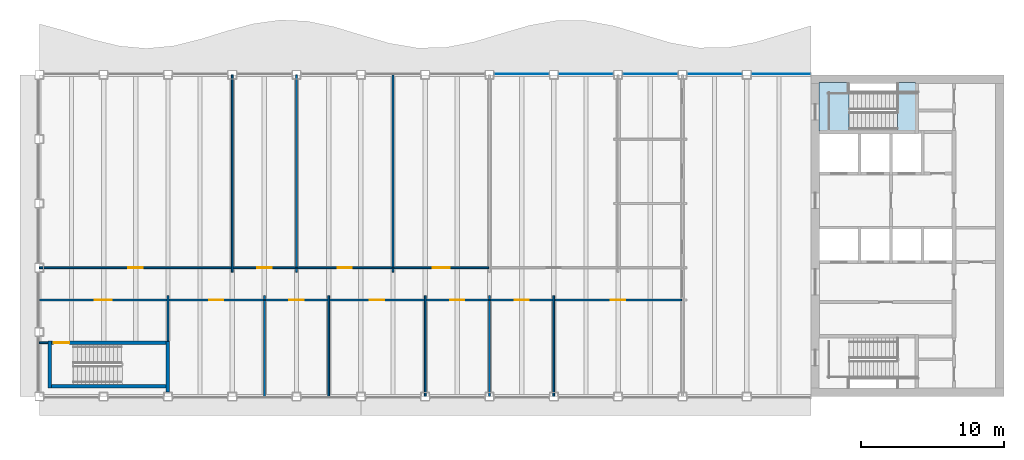
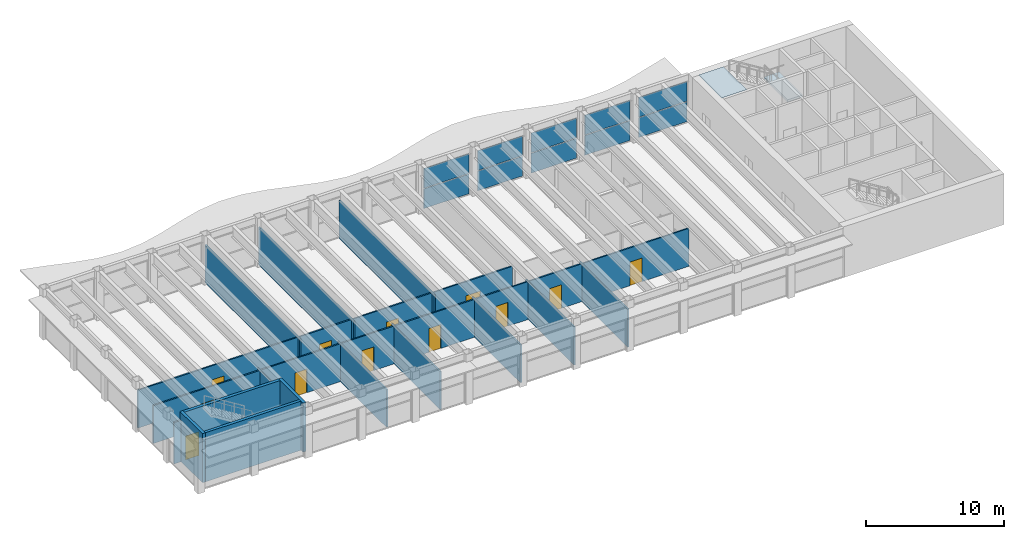
# One storey, part 8 of 14: 25 walls, 12 doors, 10 plates, 2 slabs, 12 openings, 6 elements without a shape of their own.
"""IFC4 building model written with IfcOpenShell, lengths in metres."""

from ifc_helpers import new_model, si_unit, direction, frame, frame_2d, origin, origin_2d, place, context, subcontext, project, spatial, polyline, rectangle, outline, extrude, material, layer, layer_set, type_object, element, fill, aggregate, save


model = new_model("IFC4")

# Units and contexts
model_context = context("Model", 3, precision=1e-05, world=origin(), true_north=direction((0.0, 1.0)))
body_context = subcontext(model_context, "Body", "Model", "MODEL_VIEW")
ifc_project = project(units=[si_unit("LENGTHUNIT", "METRE"), si_unit("AREAUNIT", "SQUARE_METRE"), si_unit("VOLUMEUNIT", "CUBIC_METRE"), si_unit("PLANEANGLEUNIT", "RADIAN"), si_unit("MASSUNIT", "GRAM", prefix="KILO")], contexts=[model_context])

# Site, building, storey
site_placement = place(None, origin())
site = spatial("IfcSite", under=ifc_project, at=site_placement, CompositionType="ELEMENT")
building_placement = place(site_placement, origin())
building = spatial("IfcBuilding", under=site, at=building_placement, Name="Sennacour Bend Tower", CompositionType="ELEMENT")
storey_placement = place(building_placement, frame((0.0, 0.0, 336.5)))
storey = spatial("IfcBuildingStorey", under=building, at=storey_placement, Name="L77", CompositionType="ELEMENT", Elevation=336.5)

# Curtain wall, plates
ifc_material_1 = material(Name="Bronze anodised aluminium curtain wall with clear glass", Category="aluminium")
curtain_wall_type = type_object("IfcCurtainWallType", Name="CURTAIN WALL EXEC", PredefinedType="NOTDEFINED", material=ifc_material_1)
curtain_wall_1_placement = place(storey_placement, origin())
curtain_wall_1 = element("IfcCurtainWall", 1, at=curtain_wall_1_placement, inside=storey, type_object=curtain_wall_type, Name="Executive floor glass wall L77", PredefinedType="NOTDEFINED")
ifc_material_2 = material(Name="Clear low-emissivity glass", Category="glass")
ifc_layer_1 = layer(ifc_material_2, 0.031982421875, Name="Clear low-emissivity glass", Category="glass")
ifc_layer_set_1 = layer_set([ifc_layer_1], Name="Clear low-emissivity glass")
plate_type = type_object("IfcPlateType", Name="PNL-GLASS-IGU32", PredefinedType="CURTAIN_PANEL", material=ifc_layer_set_1)
plate_1_placement = place(storey_placement, frame((51.89990234375, 22.574951171875, 0.06005859375), z_axis=(0.0, 0.0, 1.0), x_axis=(-1.0, 0.0, 0.0)))
plate_1 = element("IfcPlate", 2, at=plate_1_placement, type_object=plate_type, Name="GW3 curtain wall panel 1.1", PredefinedType="CURTAIN_PANEL", context=body_context, shape_type="SweptSolid", body=[
    extrude(rectangle(XDim=4.080078125, YDim=0.031982421875, at=origin_2d()), origin(), (0.0, 0.0, 1.0), 1.74609375),
])
plate_2_placement = place(storey_placement, frame((51.89990234375, 22.574951171875, 1.865966796875), z_axis=(0.0, 0.0, 1.0), x_axis=(-1.0, 0.0, 0.0)))
plate_2 = element("IfcPlate", 3, at=plate_2_placement, type_object=plate_type, Name="GW3 curtain wall panel 1.2", PredefinedType="CURTAIN_PANEL", context=body_context, shape_type="SweptSolid", body=[
    extrude(rectangle(XDim=4.080078125, YDim=0.031982421875, at=origin_2d()), origin(), (0.0, 0.0, 1.0), 1.74609375),
])
aggregate(curtain_wall_1, [plate_1, plate_2])

curtain_wall_2_placement = place(storey_placement, origin())
curtain_wall_2 = element("IfcCurtainWall", 4, at=curtain_wall_2_placement, inside=storey, type_object=curtain_wall_type, Name="Executive floor glass wall L77", PredefinedType="NOTDEFINED")
plate_3_placement = place(storey_placement, frame((47.25, 22.574951171875, 0.06005859375), z_axis=(0.0, 0.0, 1.0), x_axis=(-1.0, 0.0, 0.0)))
plate_3 = element("IfcPlate", 5, at=plate_3_placement, type_object=plate_type, Name="GW3 curtain wall panel 1.1", PredefinedType="CURTAIN_PANEL", context=body_context, shape_type="SweptSolid", body=[
    extrude(rectangle(XDim=3.780029296875, YDim=0.031982421875, at=origin_2d()), origin(), (0.0, 0.0, 1.0), 1.74609375),
])
plate_4_placement = place(storey_placement, frame((47.25, 22.574951171875, 1.865966796875), z_axis=(0.0, 0.0, 1.0), x_axis=(-1.0, 0.0, 0.0)))
plate_4 = element("IfcPlate", 6, at=plate_4_placement, type_object=plate_type, Name="GW3 curtain wall panel 1.2", PredefinedType="CURTAIN_PANEL", context=body_context, shape_type="SweptSolid", body=[
    extrude(rectangle(XDim=3.780029296875, YDim=0.031982421875, at=origin_2d()), origin(), (0.0, 0.0, 1.0), 1.74609375),
])
aggregate(curtain_wall_2, [plate_3, plate_4])

curtain_wall_3_placement = place(storey_placement, origin())
curtain_wall_3 = element("IfcCurtainWall", 7, at=curtain_wall_3_placement, inside=storey, type_object=curtain_wall_type, Name="Executive floor glass wall L77", PredefinedType="NOTDEFINED")
plate_5_placement = place(storey_placement, frame((42.75, 22.574951171875, 0.06005859375), z_axis=(0.0, 0.0, 1.0), x_axis=(-1.0, 0.0, 0.0)))
plate_5 = element("IfcPlate", 8, at=plate_5_placement, type_object=plate_type, Name="GW3 curtain wall panel 1.1", PredefinedType="CURTAIN_PANEL", context=body_context, shape_type="SweptSolid", body=[
    extrude(rectangle(XDim=3.780029296875, YDim=0.031982421875, at=origin_2d()), origin(), (0.0, 0.0, 1.0), 1.74609375),
])
plate_6_placement = place(storey_placement, frame((42.75, 22.574951171875, 1.865966796875), z_axis=(0.0, 0.0, 1.0), x_axis=(-1.0, 0.0, 0.0)))
plate_6 = element("IfcPlate", 9, at=plate_6_placement, type_object=plate_type, Name="GW3 curtain wall panel 1.2", PredefinedType="CURTAIN_PANEL", context=body_context, shape_type="SweptSolid", body=[
    extrude(rectangle(XDim=3.780029296875, YDim=0.031982421875, at=origin_2d()), origin(), (0.0, 0.0, 1.0), 1.74609375),
])
aggregate(curtain_wall_3, [plate_5, plate_6])

curtain_wall_4_placement = place(storey_placement, origin())
curtain_wall_4 = element("IfcCurtainWall", 10, at=curtain_wall_4_placement, inside=storey, type_object=curtain_wall_type, Name="Executive floor glass wall L77", PredefinedType="NOTDEFINED")
plate_7_placement = place(storey_placement, frame((38.25, 22.574951171875, 0.06005859375), z_axis=(0.0, 0.0, 1.0), x_axis=(-1.0, 0.0, 0.0)))
plate_7 = element("IfcPlate", 11, at=plate_7_placement, type_object=plate_type, Name="GW3 curtain wall panel 1.1", PredefinedType="CURTAIN_PANEL", context=body_context, shape_type="SweptSolid", body=[
    extrude(rectangle(XDim=3.780029296875, YDim=0.031982421875, at=origin_2d()), origin(), (0.0, 0.0, 1.0), 1.74609375),
])
plate_8_placement = place(storey_placement, frame((38.25, 22.574951171875, 1.865966796875), z_axis=(0.0, 0.0, 1.0), x_axis=(-1.0, 0.0, 0.0)))
plate_8 = element("IfcPlate", 12, at=plate_8_placement, type_object=plate_type, Name="GW3 curtain wall panel 1.2", PredefinedType="CURTAIN_PANEL", context=body_context, shape_type="SweptSolid", body=[
    extrude(rectangle(XDim=3.780029296875, YDim=0.031982421875, at=origin_2d()), origin(), (0.0, 0.0, 1.0), 1.74609375),
])
aggregate(curtain_wall_4, [plate_7, plate_8])

curtain_wall_5_placement = place(storey_placement, origin())
curtain_wall_5 = element("IfcCurtainWall", 13, at=curtain_wall_5_placement, inside=storey, type_object=curtain_wall_type, Name="Executive floor glass wall L77", PredefinedType="NOTDEFINED")
plate_9_placement = place(storey_placement, frame((33.75, 22.574951171875, 0.06005859375), z_axis=(0.0, 0.0, 1.0), x_axis=(-1.0, 0.0, 0.0)))
plate_9 = element("IfcPlate", 14, at=plate_9_placement, type_object=plate_type, Name="GW3 curtain wall panel 1.1", PredefinedType="CURTAIN_PANEL", context=body_context, shape_type="SweptSolid", body=[
    extrude(rectangle(XDim=3.780029296875, YDim=0.031982421875, at=origin_2d()), origin(), (0.0, 0.0, 1.0), 1.74609375),
])
plate_10_placement = place(storey_placement, frame((33.75, 22.574951171875, 1.865966796875), z_axis=(0.0, 0.0, 1.0), x_axis=(-1.0, 0.0, 0.0)))
plate_10 = element("IfcPlate", 15, at=plate_10_placement, type_object=plate_type, Name="GW3 curtain wall panel 1.2", PredefinedType="CURTAIN_PANEL", context=body_context, shape_type="SweptSolid", body=[
    extrude(rectangle(XDim=3.780029296875, YDim=0.031982421875, at=origin_2d()), origin(), (0.0, 0.0, 1.0), 1.74609375),
])
aggregate(curtain_wall_5, [plate_9, plate_10])

# Slab
ifc_material_3 = material(Name="Concrete C40/50", Category="concrete")
ifc_layer_2 = layer(ifc_material_3, 0.034912109375, Name="Concrete C40/50", Category="concrete")
ifc_layer_set_2 = layer_set([ifc_layer_2], Name="Concrete C40/50")
slab_type_1 = type_object("IfcSlabType", Name="Stair arrival nib 35", PredefinedType="FLOOR", material=ifc_layer_set_2)
slab_1_placement = place(storey_placement, frame((0.0, 0.0, 4.315185546875)))
element("IfcSlab", 16, at=slab_1_placement, inside=storey, type_object=slab_type_1, Name="L77 SA2 stair arrival nib", PredefinedType="FLOOR", context=body_context, shape_type="SweptSolid", body=[
    extrude(outline(polyline([(56.64208984375, 21.949951171875), (54.550048828125, 21.949951171875), (54.550048828125, 18.574951171875), (56.64208984375, 18.574951171875), (56.64208984375, 21.949951171875)])), origin(), (0.0, 0.0, 1.0), 0.034912109375),
])

# Stair, slab
stair_type = type_object("IfcStairType", Name="ST-DOGLEG", PredefinedType="HALF_TURN_STAIR", material=ifc_material_3)
stair_placement = place(storey_placement, origin())
stair = element("IfcStair", 17, at=stair_placement, inside=storey, type_object=stair_type, Name="L77 Exit stair A2", PredefinedType="HALF_TURN_STAIR")
ifc_layer_3 = layer(ifc_material_3, 0.199951171875, Name="Concrete C40/50", Category="concrete")
ifc_layer_set_3 = layer_set([ifc_layer_3], Name="Concrete C40/50")
slab_type_2 = type_object("IfcSlabType", Name="Stair landing 200", PredefinedType="LANDING", material=ifc_layer_set_3)
slab_2_placement = place(storey_placement, frame((0.0, 0.0, 2.050048828125)))
slab_2 = element("IfcSlab", 18, at=slab_2_placement, type_object=slab_type_2, Name="SA2 landing 1", PredefinedType="LANDING", context=body_context, shape_type="SweptSolid", body=[
    extrude(outline(polyline([(60.06005859375, 18.574951171875), (61.324951171875, 18.574951171875), (61.324951171875, 21.949951171875), (60.06005859375, 21.949951171875), (60.06005859375, 18.574951171875)])), origin(), (0.0, 0.0, 1.0), 0.199951171875),
])
aggregate(stair, [slab_2])

# Walls
ifc_material_4 = material(Name="Plasterboard partition on steel studs", Category="steel")
ifc_layer_4 = layer(ifc_material_4, 0.1201171875, Name="Plasterboard partition on steel studs", Category="steel")
ifc_layer_set_4 = layer_set([ifc_layer_4], Name="Plasterboard partition on steel studs")
wall_type_1 = type_object("IfcWallType", Name="Partition 120", PredefinedType="PARTITIONING", material=ifc_layer_set_4)
wall_1_placement = place(storey_placement, frame((9.0, 3.875, 0.0), z_axis=(0.0, 0.0, 1.0), x_axis=(0.0, 1.0, 0.0)))
element("IfcWall", 19, at=wall_1_placement, inside=storey, type_object=wall_type_1, Name="P-L77-W005a", PredefinedType="PARTITIONING", context=body_context, shape_type="SweptSolid", body=[
    extrude(rectangle(XDim=3.175048828125, YDim=0.1201171875, at=frame_2d((1.58740234375, 0.0))), origin(), (0.0, 0.0, 1.0), 3.35888671875),
])
wall_2_placement = place(storey_placement, frame((13.5, 8.699951171875, 0.0), z_axis=(0.0, 0.0, 1.0), x_axis=(0.0, 1.0, 0.0)))
element("IfcWall", 20, at=wall_2_placement, inside=storey, type_object=wall_type_1, Name="P-L77-W006a", PredefinedType="PARTITIONING", context=body_context, shape_type="SweptSolid", body=[
    extrude(rectangle(XDim=13.7900390625, YDim=0.1201171875, at=frame_2d((6.89501953125, 0.0))), origin(), (0.0, 0.0, 1.0), 3.35888671875),
])
wall_3_placement = place(storey_placement, frame((15.75, 0.010009765625, 0.0), z_axis=(0.0, 0.0, 1.0), x_axis=(0.0, 1.0, 0.0)))
element("IfcWall", 21, at=wall_3_placement, inside=storey, type_object=wall_type_1, Name="P-L77-W007a", PredefinedType="PARTITIONING", context=body_context, shape_type="SweptSolid", body=[
    extrude(rectangle(XDim=7.0400390625, YDim=0.1201171875, at=frame_2d((3.52001953125, 0.0))), origin(), (0.0, 0.0, 1.0), 3.35888671875),
])
wall_4_placement = place(storey_placement, frame((18.0, 8.699951171875, 0.0), z_axis=(0.0, 0.0, 1.0), x_axis=(0.0, 1.0, 0.0)))
element("IfcWall", 22, at=wall_4_placement, inside=storey, type_object=wall_type_1, Name="P-L77-W008a", PredefinedType="PARTITIONING", context=body_context, shape_type="SweptSolid", body=[
    extrude(rectangle(XDim=13.7900390625, YDim=0.1201171875, at=frame_2d((6.89501953125, 0.0))), origin(), (0.0, 0.0, 1.0), 3.35888671875),
])
wall_5_placement = place(storey_placement, frame((20.25, 0.010009765625, 0.0), z_axis=(0.0, 0.0, 1.0), x_axis=(0.0, 1.0, 0.0)))
element("IfcWall", 23, at=wall_5_placement, inside=storey, type_object=wall_type_1, Name="P-L77-W009a", PredefinedType="PARTITIONING", context=body_context, shape_type="SweptSolid", body=[
    extrude(rectangle(XDim=7.0400390625, YDim=0.1201171875, at=frame_2d((3.52001953125, 0.0))), origin(), (0.0, 0.0, 1.0), 3.35888671875),
])
wall_6_placement = place(storey_placement, frame((24.75, 8.699951171875, 0.0), z_axis=(0.0, 0.0, 1.0), x_axis=(0.0, 1.0, 0.0)))
element("IfcWall", 24, at=wall_6_placement, inside=storey, type_object=wall_type_1, Name="P-L77-W010a", PredefinedType="PARTITIONING", context=body_context, shape_type="SweptSolid", body=[
    extrude(rectangle(XDim=13.7900390625, YDim=0.1201171875, at=frame_2d((6.89501953125, 0.0))), origin(), (0.0, 0.0, 1.0), 3.35888671875),
])
for number, where, z_axis, x_axis, name in (
    (25, (27.0, 0.010009765625, 0.0), (0.0, 0.0, 1.0), (0.0, 1.0, 0.0), "P-L77-W011a"),
    (26, (31.5, 0.010009765625, 0.0), (0.0, 0.0, 1.0), (0.0, 1.0, 0.0), "P-L77-W012a"),
    (27, (36.0, 0.010009765625, 0.0), (0.0, 0.0, 1.0), (0.0, 1.0, 0.0), "P-L77-W014a"),
):
    element("IfcWall", number, at=place(storey_placement, frame(where, z_axis=z_axis, x_axis=x_axis)), inside=storey, type_object=wall_type_1, Name=name, PredefinedType="PARTITIONING", context=body_context, shape_type="SweptSolid", body=[
        extrude(rectangle(XDim=7.0400390625, YDim=0.1201171875, at=frame_2d((3.52001953125, 0.0))), origin(), (0.0, 0.0, 1.0), 3.35888671875),
    ])
wall_7_placement = place(storey_placement, frame((0.010009765625, 3.75, 0.0), z_axis=(0.0, 0.0, 1.0), x_axis=(1.0, 0.0, 0.0)))
element("IfcWall", 28, at=wall_7_placement, inside=storey, type_object=wall_type_1, Name="P-L77-W032a", PredefinedType="PARTITIONING", context=body_context, shape_type="SweptSolid", body=[
    extrude(rectangle(XDim=0.590087890625, YDim=0.1201171875, at=frame_2d((0.294921875, 0.0))), origin(), (0.0, 0.0, 1.0), 3.672119140625),
])

# Wall, opening, door
wall_8_placement = place(storey_placement, frame((9.06005859375, 6.75, 0.0), z_axis=(0.0, 0.0, 1.0), x_axis=(1.0, 0.0, 0.0)))
wall_8 = element("IfcWall", 29, at=wall_8_placement, inside=storey, type_object=wall_type_1, Name="P-L77-W037ab", PredefinedType="PARTITIONING", context=body_context, shape_type="SweptSolid", body=[
    extrude(rectangle(XDim=6.6298828125, YDim=0.1201171875, at=frame_2d((3.31494140625, 0.0))), origin(), (0.0, 0.0, 1.0), 3.35888671875),
])
opening_1_placement = place(wall_8_placement, frame((2.81494140625, 0.0, 0.0)))
opening_1 = element("IfcOpeningElement", 30, at=opening_1_placement, cuts=wall_8, Name="Opening OD2", PredefinedType="OPENING", context=body_context, shape_type="SweptSolid", body=[
    extrude(rectangle(XDim=1.0, YDim=2.10009765625, at=frame_2d((0.5, 1.050048828125))), frame((0.0, 0.070068359375, 0.0), z_axis=(0.0, -1.0, 0.0), x_axis=(1.0, 0.0, 0.0)), (0.0, 0.0, 1.0), 0.14013671875),
])
ifc_material_5 = material(Name="Timber", Category="wood")
door_type_1 = type_object("IfcDoorType", Name="DR-OFFICE-1000", OperationType="NOTDEFINED", PredefinedType="DOOR", material=ifc_material_5)
door_1_placement = place(opening_1_placement, origin())
door_1 = element("IfcDoor", 31, at=door_1_placement, inside=storey, type_object=door_type_1, Name="Door", OperationType="SINGLE_SWING_LEFT", OverallHeight=2.10009765625, OverallWidth=1.0, PredefinedType="DOOR", context=body_context, shape_type="SweptSolid", body=[
    extrude(rectangle(XDim=1.0, YDim=2.10009765625, at=frame_2d((0.5, 1.050048828125))), frame((0.0, 0.02490234375, 0.0), z_axis=(0.0, -1.0, 0.0), x_axis=(1.0, 0.0, 0.0)), (0.0, 0.0, 1.0), 0.050048828125),
])
fill(opening_1, door_1)

wall_9_placement = place(storey_placement, frame((15.81005859375, 6.75, 0.0), z_axis=(0.0, 0.0, 1.0), x_axis=(1.0, 0.0, 0.0)))
wall_9 = element("IfcWall", 32, at=wall_9_placement, inside=storey, type_object=wall_type_1, Name="P-L77-W037ac", PredefinedType="PARTITIONING", context=body_context, shape_type="SweptSolid", body=[
    extrude(rectangle(XDim=4.3798828125, YDim=0.1201171875, at=frame_2d((2.18994140625, 0.0))), origin(), (0.0, 0.0, 1.0), 3.35888671875),
])
opening_2_placement = place(wall_9_placement, frame((1.68994140625, 0.0, 0.0)))
opening_2 = element("IfcOpeningElement", 33, at=opening_2_placement, cuts=wall_9, Name="Opening OD2", PredefinedType="OPENING", context=body_context, shape_type="SweptSolid", body=[
    extrude(rectangle(XDim=1.0, YDim=2.10009765625, at=frame_2d((0.5, 1.050048828125))), frame((0.0, 0.070068359375, 0.0), z_axis=(0.0, -1.0, 0.0), x_axis=(1.0, 0.0, 0.0)), (0.0, 0.0, 1.0), 0.14013671875),
])
door_2_placement = place(opening_2_placement, origin())
door_2 = element("IfcDoor", 34, at=door_2_placement, inside=storey, type_object=door_type_1, Name="Door", OperationType="SINGLE_SWING_LEFT", OverallHeight=2.10009765625, OverallWidth=1.0, PredefinedType="DOOR", context=body_context, shape_type="SweptSolid", body=[
    extrude(rectangle(XDim=1.0, YDim=2.10009765625, at=frame_2d((0.5, 1.050048828125))), frame((0.0, 0.02490234375, 0.0), z_axis=(0.0, -1.0, 0.0), x_axis=(1.0, 0.0, 0.0)), (0.0, 0.0, 1.0), 0.050048828125),
])
fill(opening_2, door_2)

wall_10_placement = place(storey_placement, frame((20.31005859375, 6.75, 0.0), z_axis=(0.0, 0.0, 1.0), x_axis=(1.0, 0.0, 0.0)))
wall_10 = element("IfcWall", 35, at=wall_10_placement, inside=storey, type_object=wall_type_1, Name="P-L77-W037ad", PredefinedType="PARTITIONING", context=body_context, shape_type="SweptSolid", body=[
    extrude(rectangle(XDim=6.6298828125, YDim=0.1201171875, at=frame_2d((3.31494140625, 0.0))), origin(), (0.0, 0.0, 1.0), 3.35888671875),
])
opening_3_placement = place(wall_10_placement, frame((2.81494140625, 0.0, 0.0)))
opening_3 = element("IfcOpeningElement", 36, at=opening_3_placement, cuts=wall_10, Name="Opening OD2", PredefinedType="OPENING", context=body_context, shape_type="SweptSolid", body=[
    extrude(rectangle(XDim=1.0, YDim=2.10009765625, at=frame_2d((0.5, 1.050048828125))), frame((0.0, 0.070068359375, 0.0), z_axis=(0.0, -1.0, 0.0), x_axis=(1.0, 0.0, 0.0)), (0.0, 0.0, 1.0), 0.14013671875),
])
door_3_placement = place(opening_3_placement, origin())
door_3 = element("IfcDoor", 37, at=door_3_placement, inside=storey, type_object=door_type_1, Name="Door", OperationType="SINGLE_SWING_LEFT", OverallHeight=2.10009765625, OverallWidth=1.0, PredefinedType="DOOR", context=body_context, shape_type="SweptSolid", body=[
    extrude(rectangle(XDim=1.0, YDim=2.10009765625, at=frame_2d((0.5, 1.050048828125))), frame((0.0, 0.02490234375, 0.0), z_axis=(0.0, -1.0, 0.0), x_axis=(1.0, 0.0, 0.0)), (0.0, 0.0, 1.0), 0.050048828125),
])
fill(opening_3, door_3)

wall_11_placement = place(storey_placement, frame((27.06005859375, 6.75, 0.0), z_axis=(0.0, 0.0, 1.0), x_axis=(1.0, 0.0, 0.0)))
wall_11 = element("IfcWall", 38, at=wall_11_placement, inside=storey, type_object=wall_type_1, Name="P-L77-W037ae", PredefinedType="PARTITIONING", context=body_context, shape_type="SweptSolid", body=[
    extrude(rectangle(XDim=4.3798828125, YDim=0.1201171875, at=frame_2d((2.18994140625, 0.0))), origin(), (0.0, 0.0, 1.0), 3.35888671875),
])
opening_4_placement = place(wall_11_placement, frame((1.68994140625, 0.0, 0.0)))
opening_4 = element("IfcOpeningElement", 39, at=opening_4_placement, cuts=wall_11, Name="Opening OD2", PredefinedType="OPENING", context=body_context, shape_type="SweptSolid", body=[
    extrude(rectangle(XDim=1.0, YDim=2.10009765625, at=frame_2d((0.5, 1.050048828125))), frame((0.0, 0.070068359375, 0.0), z_axis=(0.0, -1.0, 0.0), x_axis=(1.0, 0.0, 0.0)), (0.0, 0.0, 1.0), 0.14013671875),
])
door_4_placement = place(opening_4_placement, origin())
door_4 = element("IfcDoor", 40, at=door_4_placement, inside=storey, type_object=door_type_1, Name="Door", OperationType="SINGLE_SWING_LEFT", OverallHeight=2.10009765625, OverallWidth=1.0, PredefinedType="DOOR", context=body_context, shape_type="SweptSolid", body=[
    extrude(rectangle(XDim=1.0, YDim=2.10009765625, at=frame_2d((0.5, 1.050048828125))), frame((0.0, 0.02490234375, 0.0), z_axis=(0.0, -1.0, 0.0), x_axis=(1.0, 0.0, 0.0)), (0.0, 0.0, 1.0), 0.050048828125),
])
fill(opening_4, door_4)

wall_12_placement = place(storey_placement, frame((31.56005859375, 6.75, 0.0), z_axis=(0.0, 0.0, 1.0), x_axis=(1.0, 0.0, 0.0)))
wall_12 = element("IfcWall", 41, at=wall_12_placement, inside=storey, type_object=wall_type_1, Name="P-L77-W037af", PredefinedType="PARTITIONING", context=body_context, shape_type="SweptSolid", body=[
    extrude(rectangle(XDim=4.3798828125, YDim=0.1201171875, at=frame_2d((2.18994140625, 0.0))), origin(), (0.0, 0.0, 1.0), 3.35888671875),
])
opening_5_placement = place(wall_12_placement, frame((1.68994140625, 0.0, 0.0)))
opening_5 = element("IfcOpeningElement", 42, at=opening_5_placement, cuts=wall_12, Name="Opening MD2", PredefinedType="OPENING", context=body_context, shape_type="SweptSolid", body=[
    extrude(rectangle(XDim=1.0, YDim=2.10009765625, at=frame_2d((0.5, 1.050048828125))), frame((0.0, 0.070068359375, 0.0), z_axis=(0.0, -1.0, 0.0), x_axis=(1.0, 0.0, 0.0)), (0.0, 0.0, 1.0), 0.14013671875),
])
door_type_2 = type_object("IfcDoorType", Name="DR-MEETING-1000", OperationType="NOTDEFINED", PredefinedType="DOOR", material=ifc_material_5)
door_5_placement = place(opening_5_placement, origin())
door_5 = element("IfcDoor", 43, at=door_5_placement, inside=storey, type_object=door_type_2, Name="Door", OperationType="SINGLE_SWING_LEFT", OverallHeight=2.10009765625, OverallWidth=1.0, PredefinedType="DOOR", context=body_context, shape_type="SweptSolid", body=[
    extrude(rectangle(XDim=1.0, YDim=2.10009765625, at=frame_2d((0.5, 1.050048828125))), frame((0.0, 0.02490234375, 0.0), z_axis=(0.0, -1.0, 0.0), x_axis=(1.0, 0.0, 0.0)), (0.0, 0.0, 1.0), 0.050048828125),
])
fill(opening_5, door_5)

wall_13_placement = place(storey_placement, frame((36.06005859375, 6.75, 0.0), z_axis=(0.0, 0.0, 1.0), x_axis=(1.0, 0.0, 0.0)))
wall_13 = element("IfcWall", 44, at=wall_13_placement, inside=storey, type_object=wall_type_1, Name="P-L77-W037ag", PredefinedType="PARTITIONING", context=body_context, shape_type="SweptSolid", body=[
    extrude(rectangle(XDim=8.8798828125, YDim=0.1201171875, at=frame_2d((4.43994140625, 0.0))), origin(), (0.0, 0.0, 1.0), 3.35888671875),
])
opening_6_placement = place(wall_13_placement, frame((3.93994140625, 0.0, 0.0)))
opening_6 = element("IfcOpeningElement", 45, at=opening_6_placement, cuts=wall_13, Name="Opening OD2", PredefinedType="OPENING", context=body_context, shape_type="SweptSolid", body=[
    extrude(rectangle(XDim=1.0, YDim=2.10009765625, at=frame_2d((0.5, 1.050048828125))), frame((0.0, 0.070068359375, 0.0), z_axis=(0.0, -1.0, 0.0), x_axis=(1.0, 0.0, 0.0)), (0.0, 0.0, 1.0), 0.14013671875),
])
door_6_placement = place(opening_6_placement, origin())
door_6 = element("IfcDoor", 46, at=door_6_placement, inside=storey, type_object=door_type_1, Name="Door", OperationType="SINGLE_SWING_LEFT", OverallHeight=2.10009765625, OverallWidth=1.0, PredefinedType="DOOR", context=body_context, shape_type="SweptSolid", body=[
    extrude(rectangle(XDim=1.0, YDim=2.10009765625, at=frame_2d((0.5, 1.050048828125))), frame((0.0, 0.02490234375, 0.0), z_axis=(0.0, -1.0, 0.0), x_axis=(1.0, 0.0, 0.0)), (0.0, 0.0, 1.0), 0.050048828125),
])
fill(opening_6, door_6)

wall_14_placement = place(storey_placement, frame((0.010009765625, 9.0, 0.0), z_axis=(0.0, 0.0, 1.0), x_axis=(1.0, 0.0, 0.0)))
wall_14 = element("IfcWall", 47, at=wall_14_placement, inside=storey, type_object=wall_type_1, Name="P-L77-W038aa", PredefinedType="PARTITIONING", context=body_context, shape_type="SweptSolid", body=[
    extrude(rectangle(XDim=13.429931640625, YDim=0.1201171875, at=frame_2d((6.71484375, 0.0))), origin(), (0.0, 0.0, 1.0), 3.35888671875),
])
opening_7_placement = place(wall_14_placement, frame((6.22509765625, 0.0, 0.0)))
opening_7 = element("IfcOpeningElement", 48, at=opening_7_placement, cuts=wall_14, Name="Opening OD2", PredefinedType="OPENING", context=body_context, shape_type="SweptSolid", body=[
    extrude(rectangle(XDim=1.0, YDim=2.10009765625, at=frame_2d((0.5, 1.050048828125))), frame((0.0, 0.070068359375, 0.0), z_axis=(0.0, -1.0, 0.0), x_axis=(1.0, 0.0, 0.0)), (0.0, 0.0, 1.0), 0.14013671875),
])
door_7_placement = place(opening_7_placement, origin())
door_7 = element("IfcDoor", 49, at=door_7_placement, inside=storey, type_object=door_type_1, Name="Door", OperationType="SINGLE_SWING_LEFT", OverallHeight=2.10009765625, OverallWidth=1.0, PredefinedType="DOOR", context=body_context, shape_type="SweptSolid", body=[
    extrude(rectangle(XDim=1.0, YDim=2.10009765625, at=frame_2d((0.5, 1.050048828125))), frame((0.0, 0.02490234375, 0.0), z_axis=(0.0, -1.0, 0.0), x_axis=(1.0, 0.0, 0.0)), (0.0, 0.0, 1.0), 0.050048828125),
])
fill(opening_7, door_7)

wall_15_placement = place(storey_placement, frame((13.56005859375, 9.0, 0.0), z_axis=(0.0, 0.0, 1.0), x_axis=(1.0, 0.0, 0.0)))
wall_15 = element("IfcWall", 50, at=wall_15_placement, inside=storey, type_object=wall_type_1, Name="P-L77-W038ab", PredefinedType="PARTITIONING", context=body_context, shape_type="SweptSolid", body=[
    extrude(rectangle(XDim=4.3798828125, YDim=0.1201171875, at=frame_2d((2.18994140625, 0.0))), origin(), (0.0, 0.0, 1.0), 3.35888671875),
])
opening_8_placement = place(wall_15_placement, frame((1.68994140625, 0.0, 0.0)))
opening_8 = element("IfcOpeningElement", 51, at=opening_8_placement, cuts=wall_15, Name="Opening OD2", PredefinedType="OPENING", context=body_context, shape_type="SweptSolid", body=[
    extrude(rectangle(XDim=1.0, YDim=2.10009765625, at=frame_2d((0.5, 1.050048828125))), frame((0.0, 0.070068359375, 0.0), z_axis=(0.0, -1.0, 0.0), x_axis=(1.0, 0.0, 0.0)), (0.0, 0.0, 1.0), 0.14013671875),
])
door_8_placement = place(opening_8_placement, origin())
door_8 = element("IfcDoor", 52, at=door_8_placement, inside=storey, type_object=door_type_1, Name="Door", OperationType="SINGLE_SWING_LEFT", OverallHeight=2.10009765625, OverallWidth=1.0, PredefinedType="DOOR", context=body_context, shape_type="SweptSolid", body=[
    extrude(rectangle(XDim=1.0, YDim=2.10009765625, at=frame_2d((0.5, 1.050048828125))), frame((0.0, 0.02490234375, 0.0), z_axis=(0.0, -1.0, 0.0), x_axis=(1.0, 0.0, 0.0)), (0.0, 0.0, 1.0), 0.050048828125),
])
fill(opening_8, door_8)

wall_16_placement = place(storey_placement, frame((18.06005859375, 9.0, 0.0), z_axis=(0.0, 0.0, 1.0), x_axis=(1.0, 0.0, 0.0)))
wall_16 = element("IfcWall", 53, at=wall_16_placement, inside=storey, type_object=wall_type_1, Name="P-L77-W038ac", PredefinedType="PARTITIONING", context=body_context, shape_type="SweptSolid", body=[
    extrude(rectangle(XDim=6.6298828125, YDim=0.1201171875, at=frame_2d((3.31494140625, 0.0))), origin(), (0.0, 0.0, 1.0), 3.35888671875),
])
opening_9_placement = place(wall_16_placement, frame((2.81494140625, 0.0, 0.0)))
opening_9 = element("IfcOpeningElement", 54, at=opening_9_placement, cuts=wall_16, Name="Opening MD2", PredefinedType="OPENING", context=body_context, shape_type="SweptSolid", body=[
    extrude(rectangle(XDim=1.0, YDim=2.10009765625, at=frame_2d((0.5, 1.050048828125))), frame((0.0, 0.070068359375, 0.0), z_axis=(0.0, -1.0, 0.0), x_axis=(1.0, 0.0, 0.0)), (0.0, 0.0, 1.0), 0.14013671875),
])
door_9_placement = place(opening_9_placement, origin())
door_9 = element("IfcDoor", 55, at=door_9_placement, inside=storey, type_object=door_type_2, Name="Door", OperationType="SINGLE_SWING_LEFT", OverallHeight=2.10009765625, OverallWidth=1.0, PredefinedType="DOOR", context=body_context, shape_type="SweptSolid", body=[
    extrude(rectangle(XDim=1.0, YDim=2.10009765625, at=frame_2d((0.5, 1.050048828125))), frame((0.0, 0.02490234375, 0.0), z_axis=(0.0, -1.0, 0.0), x_axis=(1.0, 0.0, 0.0)), (0.0, 0.0, 1.0), 0.050048828125),
])
fill(opening_9, door_9)

wall_17_placement = place(storey_placement, frame((24.81005859375, 9.0, 0.0), z_axis=(0.0, 0.0, 1.0), x_axis=(1.0, 0.0, 0.0)))
wall_17 = element("IfcWall", 56, at=wall_17_placement, inside=storey, type_object=wall_type_1, Name="P-L77-W038ad", PredefinedType="PARTITIONING", context=body_context, shape_type="SweptSolid", body=[
    extrude(rectangle(XDim=6.6298828125, YDim=0.1201171875, at=frame_2d((3.31494140625, 0.0))), origin(), (0.0, 0.0, 1.0), 3.35888671875),
])
opening_10_placement = place(wall_17_placement, frame((2.71484375, 0.0, 0.0)))
opening_10 = element("IfcOpeningElement", 57, at=opening_10_placement, cuts=wall_17, Name="Opening MD", PredefinedType="OPENING", context=body_context, shape_type="SweptSolid", body=[
    extrude(rectangle(XDim=1.199951171875, YDim=2.10009765625, at=frame_2d((0.60009765625, 1.050048828125))), frame((0.0, 0.070068359375, 0.0), z_axis=(0.0, -1.0, 0.0), x_axis=(1.0, 0.0, 0.0)), (0.0, 0.0, 1.0), 0.14013671875),
])
door_type_3 = type_object("IfcDoorType", Name="DR-MEETING-1200", OperationType="NOTDEFINED", PredefinedType="DOOR", material=ifc_material_5)
door_10_placement = place(opening_10_placement, origin())
door_10 = element("IfcDoor", 58, at=door_10_placement, inside=storey, type_object=door_type_3, Name="Door", OperationType="SINGLE_SWING_LEFT", OverallHeight=2.10009765625, OverallWidth=1.199951171875, PredefinedType="DOOR", context=body_context, shape_type="SweptSolid", body=[
    extrude(rectangle(XDim=1.199951171875, YDim=2.10009765625, at=frame_2d((0.60009765625, 1.050048828125))), frame((0.0, 0.02490234375, 0.0), z_axis=(0.0, -1.0, 0.0), x_axis=(1.0, 0.0, 0.0)), (0.0, 0.0, 1.0), 0.050048828125),
])
fill(opening_10, door_10)

ifc_layer_5 = layer(ifc_material_4, 0.1201171875, Name="Plasterboard partition on steel studs", Category="steel")
ifc_layer_set_5 = layer_set([ifc_layer_5], Name="Plasterboard partition on steel studs")
wall_type_2 = type_object("IfcWallType", Name="Partition 120 EI 30", PredefinedType="PARTITIONING", material=ifc_layer_set_5)
wall_18_placement = place(storey_placement, frame((0.010009765625, 6.75, 0.0), z_axis=(0.0, 0.0, 1.0), x_axis=(1.0, 0.0, 0.0)))
wall_18 = element("IfcWall", 59, at=wall_18_placement, inside=storey, type_object=wall_type_2, Name="P-L77-W037aa", PredefinedType="PARTITIONING", context=body_context, shape_type="SweptSolid", body=[
    extrude(rectangle(XDim=8.929931640625, YDim=0.1201171875, at=frame_2d((4.46484375, 0.0))), origin(), (0.0, 0.0, 1.0), 3.35888671875),
])
opening_11_placement = place(wall_18_placement, frame((3.875, 0.0, 0.0)))
opening_11 = element("IfcOpeningElement", 60, at=opening_11_placement, cuts=wall_18, Name="Opening KD2", PredefinedType="OPENING", context=body_context, shape_type="SweptSolid", body=[
    extrude(rectangle(XDim=1.199951171875, YDim=2.10009765625, at=frame_2d((0.60009765625, 1.050048828125))), frame((0.0, 0.070068359375, 0.0), z_axis=(0.0, -1.0, 0.0), x_axis=(1.0, 0.0, 0.0)), (0.0, 0.0, 1.0), 0.14013671875),
])
ifc_material_6 = material(Name="Painted steel", Category="steel")
door_type_4 = type_object("IfcDoorType", Name="DR-CORRIDOR-1200", OperationType="NOTDEFINED", PredefinedType="DOOR", material=ifc_material_6)
door_11_placement = place(opening_11_placement, origin())
door_11 = element("IfcDoor", 61, at=door_11_placement, inside=storey, type_object=door_type_4, Name="Door", OperationType="SINGLE_SWING_RIGHT", OverallHeight=2.10009765625, OverallWidth=1.199951171875, PredefinedType="DOOR", context=body_context, shape_type="SweptSolid", body=[
    extrude(rectangle(XDim=1.199951171875, YDim=2.10009765625, at=frame_2d((0.60009765625, 1.050048828125))), frame((0.0, 0.02490234375, 0.0), z_axis=(0.0, -1.0, 0.0), x_axis=(1.0, 0.0, 0.0)), (0.0, 0.0, 1.0), 0.050048828125),
])
fill(opening_11, door_11)

# Walls
ifc_material_7 = material(Name="Concrete C60/75", Category="concrete")
ifc_layer_6 = layer(ifc_material_7, 0.25, Name="Concrete C60/75", Category="concrete")
ifc_layer_set_6 = layer_set([ifc_layer_6], Name="Concrete C60/75")
wall_type_3 = type_object("IfcWallType", Name="Stair wall 250", PredefinedType="SHEAR", material=ifc_layer_set_6)
wall_19_placement = place(storey_placement, frame((0.72509765625, 0.60009765625, 0.0), z_axis=(0.0, 0.0, 1.0), x_axis=(0.0, 1.0, 0.0)))
element("IfcWall", 62, at=wall_19_placement, inside=storey, type_object=wall_type_3, Name="P-L77-W002", PredefinedType="SHEAR", context=body_context, shape_type="SweptSolid", body=[
    extrude(rectangle(XDim=3.27490234375, YDim=0.25, at=frame_2d((1.637451171875, 0.0))), origin(), (0.0, 0.0, 1.0), 4.35009765625),
])
wall_20_placement = place(storey_placement, frame((9.0, 0.300048828125, 0.0), z_axis=(0.0, 0.0, 1.0), x_axis=(0.0, 1.0, 0.0)))
element("IfcWall", 63, at=wall_20_placement, inside=storey, type_object=wall_type_3, Name="P-L77-W004", PredefinedType="SHEAR", context=body_context, shape_type="SweptSolid", body=[
    extrude(rectangle(XDim=3.574951171875, YDim=0.25, at=frame_2d((1.78759765625, 0.0))), origin(), (0.0, 0.0, 1.0), 4.35009765625),
])
wall_21_placement = place(storey_placement, frame((0.85009765625, 0.72509765625, 0.0), z_axis=(0.0, 0.0, 1.0), x_axis=(1.0, 0.0, 0.0)))
element("IfcWall", 64, at=wall_21_placement, inside=storey, type_object=wall_type_3, Name="P-L77-W030", PredefinedType="SHEAR", context=body_context, shape_type="SweptSolid", body=[
    extrude(rectangle(XDim=8.02490234375, YDim=0.25, at=frame_2d((4.012451171875, 0.0))), origin(), (0.0, 0.0, 1.0), 4.35009765625),
])

# Wall, opening, door
wall_22_placement = place(storey_placement, frame((0.85009765625, 3.75, 0.0), z_axis=(0.0, 0.0, 1.0), x_axis=(1.0, 0.0, 0.0)))
wall_22 = element("IfcWall", 65, at=wall_22_placement, inside=storey, type_object=wall_type_3, Name="P-L77-W033", PredefinedType="SHEAR", context=body_context, shape_type="SweptSolid", body=[
    extrude(rectangle(XDim=8.02490234375, YDim=0.25, at=frame_2d((4.012451171875, 0.0))), origin(), (0.0, 0.0, 1.0), 4.35009765625),
])
opening_12_placement = place(wall_22_placement, frame((0.14990234375, 0.0, 0.0)))
opening_12 = element("IfcOpeningElement", 66, at=opening_12_placement, cuts=wall_22, Name="Opening SD", PredefinedType="OPENING", context=body_context, shape_type="SweptSolid", body=[
    extrude(rectangle(XDim=1.10009765625, YDim=2.10009765625, at=frame_2d((0.550048828125, 1.050048828125))), frame((0.0, 0.135009765625, 0.0), z_axis=(0.0, -1.0, 0.0), x_axis=(1.0, 0.0, 0.0)), (0.0, 0.0, 1.0), 0.27001953125),
])
door_type_5 = type_object("IfcDoorType", Name="DR-STAIR-1100", OperationType="NOTDEFINED", PredefinedType="DOOR", material=ifc_material_6)
door_12_placement = place(opening_12_placement, origin())
door_12 = element("IfcDoor", 67, at=door_12_placement, inside=storey, type_object=door_type_5, Name="Door", OperationType="SINGLE_SWING_LEFT", OverallHeight=2.10009765625, OverallWidth=1.10009765625, PredefinedType="DOOR", context=body_context, shape_type="SweptSolid", body=[
    extrude(rectangle(XDim=1.10009765625, YDim=2.10009765625, at=frame_2d((0.550048828125, 1.050048828125))), frame((0.0, 0.02490234375, 0.0), z_axis=(0.0, -1.0, 0.0), x_axis=(1.0, 0.0, 0.0)), (0.0, 0.0, 1.0), 0.050048828125),
])
fill(opening_12, door_12)

save(model, "model.ifc")
